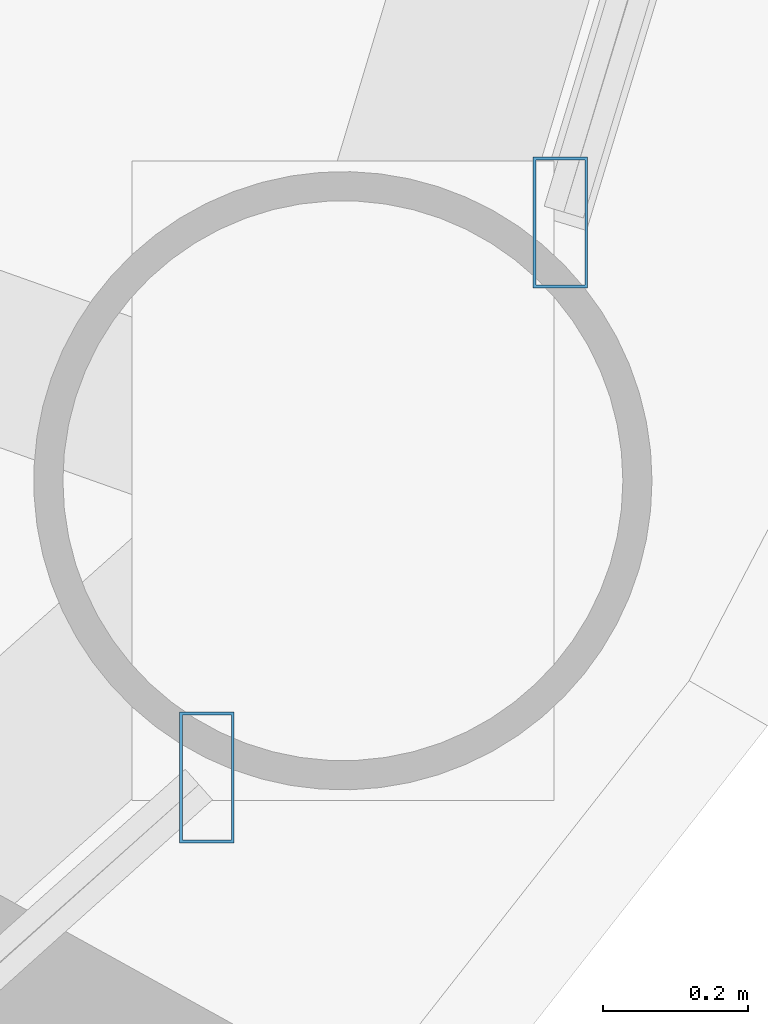
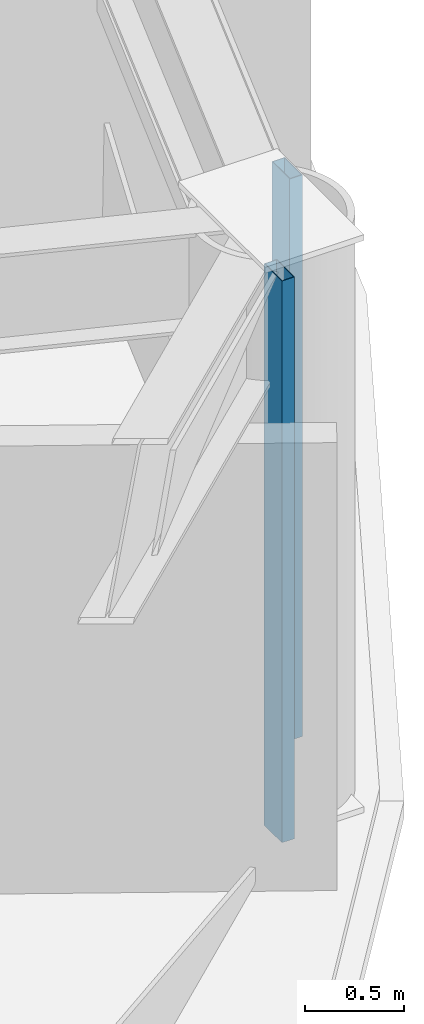
# One storey, part 10 of 30: 2 members, 2 elements without a shape of their own.
"""IFC4 building model written with IfcOpenShell, lengths in metres."""

from ifc_helpers import new_model, si_unit, direction, frame, origin, origin_2d, place, context, subcontext, project, spatial, hollow_rectangle, extrude, material, layer, layer_set, material_profile, profile_set, type_object, element, aggregate, save


model = new_model("IFC4")

# Units and contexts
model_context = context("Model", 3, precision=1e-05, world=origin(), true_north=direction((0.0, 1.0)))
body_context = subcontext(model_context, "Body", "Model", "MODEL_VIEW")
ifc_project = project(units=[si_unit("LENGTHUNIT", "METRE"), si_unit("AREAUNIT", "SQUARE_METRE"), si_unit("VOLUMEUNIT", "CUBIC_METRE"), si_unit("PLANEANGLEUNIT", "RADIAN"), si_unit("MASSUNIT", "GRAM", prefix="KILO")], contexts=[model_context])

# Site, building, storey
site_placement = place(None, origin())
site = spatial("IfcSite", under=ifc_project, at=site_placement, CompositionType="ELEMENT")
building_placement = place(site_placement, origin())
building = spatial("IfcBuilding", under=site, at=building_placement, Name="Vantalir Tower", CompositionType="ELEMENT")
storey_placement = place(building_placement, frame((0.0, 0.0, 83.25)))
storey = spatial("IfcBuildingStorey", under=building, at=storey_placement, Name="L20", CompositionType="ELEMENT", Elevation=83.25)

# Curtain wall, member
ifc_material_1 = material(Name="Champagne-silver PVDF aluminium and double-silver Low-E glass", Category="aluminium")
ifc_layer = layer(ifc_material_1, 0.18994140625)
ifc_layer_set = layer_set([ifc_layer], Name="Champagne-silver PVDF aluminium and double-silver Low-E glass")
curtain_wall_type = type_object("IfcCurtainWallType", Name="CW-DIAMOND-Z1", PredefinedType="USERDEFINED", material=ifc_layer_set)
curtain_wall_1_placement = place(storey_placement, origin())
curtain_wall_1 = element("IfcCurtainWall", 1, at=curtain_wall_1_placement, inside=storey, type_object=curtain_wall_type, Name="L20 Quilted Pyramid-Diamond Curtain Wall S11", ObjectType="UNITISED CURTAIN WALL", PredefinedType="USERDEFINED")
ifc_material_2 = material(Name="Champagne-silver PVDF aluminium 6063-T6", Category="aluminium")
ifc_material_profile = material_profile(ifc_material_2, hollow_rectangle(XDim=0.074951171875, YDim=0.179931640625, WallThickness=0.00390625, at=origin_2d()), Name="Champagne-silver PVDF aluminium 6063-T6")
ifc_profile_set = profile_set([ifc_material_profile], Name="Champagne-silver PVDF aluminium 6063-T6")
member_type = type_object("IfcMemberType", Name="CWM-180x75", PredefinedType="MULLION", material=ifc_profile_set)
member_1_placement = place(storey_placement, frame((55.12890625, 12.343994140625, 0.044921875), z_axis=(0.0, 0.0, 1.0), x_axis=(1.0, 0.0, 0.0)))
member_1 = element("IfcMember", 2, at=member_1_placement, type_object=member_type, Name="CW-L20-S11 Mullion 2", PredefinedType="MULLION", context=body_context, shape_type="SweptSolid", body=[
    extrude(hollow_rectangle(XDim=0.074951171875, YDim=0.179931640625, WallThickness=0.00390625, at=origin_2d()), origin(), (0.0, 0.0, 1.0), 3.47998046875),
])
aggregate(curtain_wall_1, [member_1])

curtain_wall_2_placement = place(storey_placement, origin())
curtain_wall_2 = element("IfcCurtainWall", 3, at=curtain_wall_2_placement, inside=storey, type_object=curtain_wall_type, Name="L20 Quilted Pyramid-Diamond Curtain Wall S12", ObjectType="UNITISED CURTAIN WALL", PredefinedType="USERDEFINED")
member_2_placement = place(storey_placement, frame((55.614990234375, 13.10693359375, 0.044921875), z_axis=(0.0, 0.0, 1.0), x_axis=(1.0, 0.0, 0.0)))
member_2 = element("IfcMember", 4, at=member_2_placement, type_object=member_type, Name="CW-L20-S12 Mullion 1", PredefinedType="MULLION", context=body_context, shape_type="SweptSolid", body=[
    extrude(hollow_rectangle(XDim=0.074951171875, YDim=0.179931640625, WallThickness=0.00390625, at=origin_2d()), origin(), (0.0, 0.0, 1.0), 3.47998046875),
])
aggregate(curtain_wall_2, [member_2])

save(model, "model.ifc")
